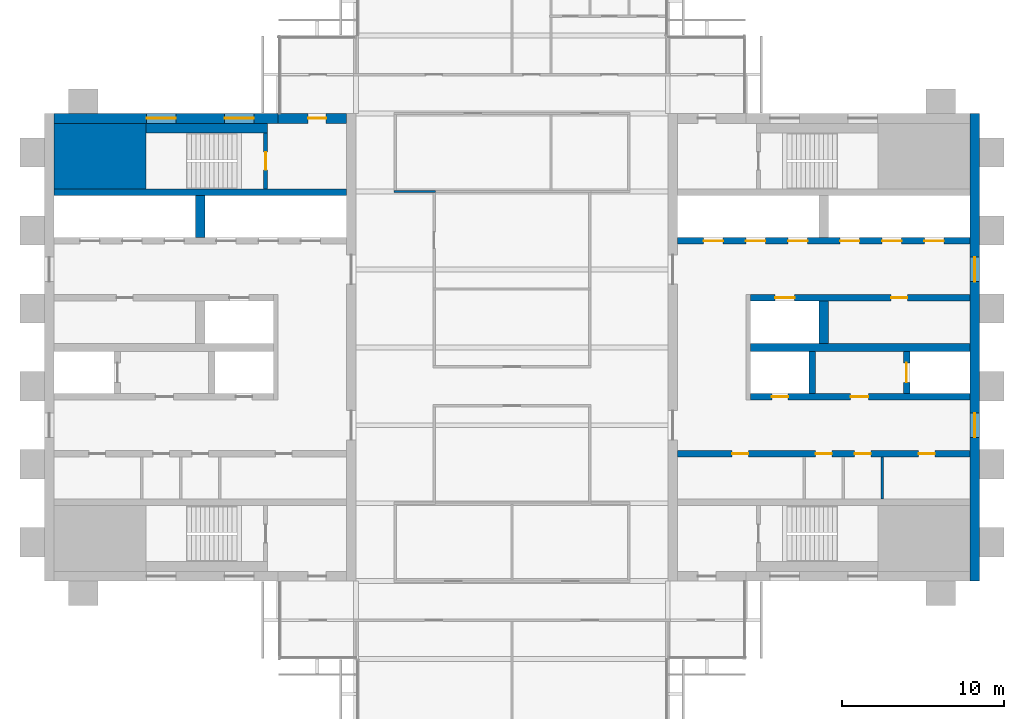
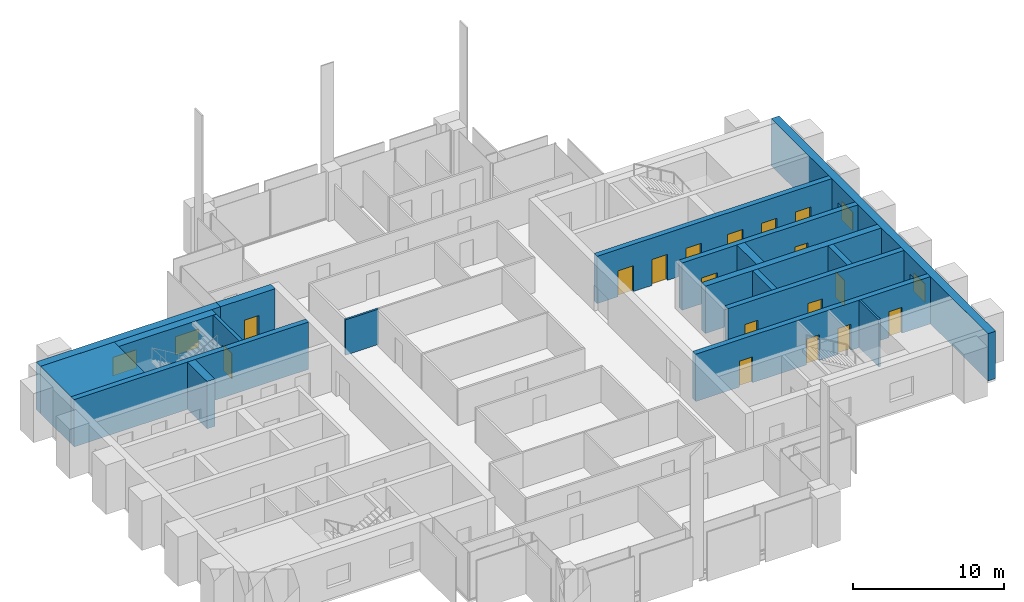
# One storey, part 10 of 13: 18 walls, 17 doors, 4 windows, 21 openings.
"""IFC4 building model written with IfcOpenShell, lengths in metres."""

from ifc_helpers import new_model, si_unit, direction, frame, frame_2d, origin, place, context, subcontext, project, spatial, rectangle, extrude, material, layer, layer_set, type_object, element, fill, save


model = new_model("IFC4")

# Units and contexts
model_context = context("Model", 3, precision=1e-05, world=origin(), true_north=direction((0.0, 1.0)))
body_context = subcontext(model_context, "Body", "Model", "MODEL_VIEW")
ifc_project = project(units=[si_unit("LENGTHUNIT", "METRE"), si_unit("AREAUNIT", "SQUARE_METRE"), si_unit("VOLUMEUNIT", "CUBIC_METRE"), si_unit("PLANEANGLEUNIT", "RADIAN"), si_unit("MASSUNIT", "GRAM", prefix="KILO")], contexts=[model_context])

# Site, building, storey
site_placement = place(None, origin())
site = spatial("IfcSite", under=ifc_project, at=site_placement, CompositionType="ELEMENT")
building_placement = place(site_placement, origin())
building = spatial("IfcBuilding", under=site, at=building_placement, Name="Baori Bourse Tower", CompositionType="ELEMENT")
storey_placement = place(building_placement, frame((0.0, 0.0, 318.300048828125)))
storey = spatial("IfcBuildingStorey", under=building, at=storey_placement, Name="L70", CompositionType="ELEMENT", Elevation=318.300048828125)

# Walls
ifc_material_1 = material(Name="Concrete f'c 40 MPa", Category="concrete")
wall_type_1 = type_object("IfcWallType", Name="Core corner block f'c 40", PredefinedType="SHEAR", material=ifc_material_1)
wall_1_placement = place(storey_placement, frame((0.60009765625, 35.77490234375, 0.0), z_axis=(0.0, 0.0, 1.0), x_axis=(1.0, 0.0, 0.0)))
element("IfcWall", 1, at=wall_1_placement, inside=storey, type_object=wall_type_1, Name="Core wall W23", PredefinedType="SHEAR", context=body_context, shape_type="SweptSolid", body=[
    extrude(rectangle(XDim=5.64990234375, YDim=4.050048828125, at=frame_2d((2.824951171875, 0.0))), origin(), (0.0, 0.0, 1.0), 3.83984375),
])
ifc_material_2 = material(Name="Blockwork partition", Category="masonry")
ifc_layer_1 = layer(ifc_material_2, 0.14990234375)
ifc_layer_set_1 = layer_set([ifc_layer_1], Name="Core partition 150")
wall_type_2 = type_object("IfcWallType", Name="Core partition 150", PredefinedType="PARTITIONING", material=ifc_layer_set_1)
wall_2_placement = place(storey_placement, frame((51.60009765625, 14.64990234375, 0.0), z_axis=(0.0, 0.0, 1.0), x_axis=(0.0, 1.0, 0.0)))
element("IfcWall", 2, at=wall_2_placement, inside=storey, type_object=wall_type_2, Name="Partition wall E09", PredefinedType="PARTITIONING", context=body_context, shape_type="SweptSolid", body=[
    extrude(rectangle(XDim=2.60009765625, YDim=0.14990234375, at=frame_2d((1.300048828125, 0.0))), origin(), (0.0, 0.0, 1.0), 3.83984375),
])

# Wall, openings, windows
ifc_material_3 = material(Name="Concrete f'c 40 MPa", Category="concrete")
ifc_layer_2 = layer(ifc_material_3, 0.60009765625)
ifc_layer_set_2 = layer_set([ifc_layer_2], Name="Core wall 600 f'c 40")
wall_type_3 = type_object("IfcWallType", Name="Core wall 600 f'c 40", PredefinedType="SHEAR", material=ifc_layer_set_2)
wall_3_placement = place(storey_placement, frame((0.60009765625, 38.10009765625, 0.0), z_axis=(0.0, 0.0, 1.0), x_axis=(1.0, 0.0, 0.0)))
wall_3 = element("IfcWall", 3, at=wall_3_placement, inside=storey, type_object=wall_type_3, Name="Core wall W26", PredefinedType="SHEAR", context=body_context, shape_type="SweptSolid", body=[
    extrude(rectangle(XDim=13.7998046875, YDim=0.60009765625, at=frame_2d((6.89990234375, 0.0))), origin(), (0.0, 0.0, 1.0), 3.83984375),
])
opening_1_placement = place(wall_3_placement, frame((5.699951171875, 0.0, 0.89990234375)))
opening_1 = element("IfcOpeningElement", 4, at=opening_1_placement, cuts=wall_3, Name="Opening L70-KW105", PredefinedType="OPENING", context=body_context, shape_type="SweptSolid", body=[
    extrude(rectangle(XDim=1.800048828125, YDim=1.5, at=frame_2d((0.89990234375, 0.75))), frame((0.0, 0.31005859375, 0.0), z_axis=(0.0, -1.0, 0.0), x_axis=(1.0, 0.0, 0.0)), (0.0, 0.0, 1.0), 0.6201171875),
])
opening_2_placement = place(wall_3_placement, frame((10.5, 0.0, 0.89990234375)))
opening_2 = element("IfcOpeningElement", 5, at=opening_2_placement, cuts=wall_3, Name="Opening L70-KW106", PredefinedType="OPENING", context=body_context, shape_type="SweptSolid", body=[
    extrude(rectangle(XDim=1.800048828125, YDim=1.5, at=frame_2d((0.89990234375, 0.75))), frame((0.0, 0.31005859375, 0.0), z_axis=(0.0, -1.0, 0.0), x_axis=(1.0, 0.0, 0.0)), (0.0, 0.0, 1.0), 0.6201171875),
])
ifc_material_4 = material(Name="Pale anodised aluminium", Category="aluminium")
window_type_1 = type_object("IfcWindowType", Name="Stair window 1800 x 1500", PartitioningType="SINGLE_PANEL", PredefinedType="WINDOW", material=ifc_material_4)
window_1_placement = place(opening_1_placement, origin())
window_1 = element("IfcWindow", 6, at=window_1_placement, inside=storey, type_object=window_type_1, Name="Stair window W L70 5", OverallHeight=1.5, OverallWidth=1.800048828125, PartitioningType="SINGLE_PANEL", PredefinedType="WINDOW", context=body_context, shape_type="SweptSolid", body=[
    extrude(rectangle(XDim=1.800048828125, YDim=1.5, at=frame_2d((0.89990234375, 0.75))), frame((0.0, 0.030029296875, 0.0), z_axis=(0.0, -1.0, 0.0), x_axis=(1.0, 0.0, 0.0)), (0.0, 0.0, 1.0), 0.06005859375),
])
fill(opening_1, window_1)
window_2_placement = place(opening_2_placement, origin())
window_2 = element("IfcWindow", 7, at=window_2_placement, inside=storey, type_object=window_type_1, Name="Stair window W L70 6", OverallHeight=1.5, OverallWidth=1.800048828125, PartitioningType="SINGLE_PANEL", PredefinedType="WINDOW", context=body_context, shape_type="SweptSolid", body=[
    extrude(rectangle(XDim=1.800048828125, YDim=1.5, at=frame_2d((0.89990234375, 0.75))), frame((0.0, 0.030029296875, 0.0), z_axis=(0.0, -1.0, 0.0), x_axis=(1.0, 0.0, 0.0)), (0.0, 0.0, 1.0), 0.06005859375),
])
fill(opening_2, window_2)

# Wall, opening, door
wall_4_placement = place(storey_placement, frame((14.39990234375, 38.10009765625, 0.0), z_axis=(0.0, 0.0, 1.0), x_axis=(1.0, 0.0, 0.0)))
wall_4 = element("IfcWall", 8, at=wall_4_placement, inside=storey, type_object=wall_type_3, Name="Core wall W27", PredefinedType="SHEAR", context=body_context, shape_type="SweptSolid", body=[
    extrude(rectangle(XDim=4.2001953125, YDim=0.60009765625, at=frame_2d((2.10009765625, 0.0))), origin(), (0.0, 0.0, 1.0), 3.83984375),
])
opening_3_placement = place(wall_4_placement, frame((1.85009765625, 0.0, 0.0)))
opening_3 = element("IfcOpeningElement", 9, at=opening_3_placement, cuts=wall_4, Name="Opening L70-D104", PredefinedType="OPENING", context=body_context, shape_type="SweptSolid", body=[
    extrude(rectangle(XDim=1.10009765625, YDim=2.10009765625, at=frame_2d((0.550048828125, 1.050048828125))), frame((0.0, 0.31005859375, 0.0), z_axis=(0.0, -1.0, 0.0), x_axis=(1.0, 0.0, 0.0)), (0.0, 0.0, 1.0), 0.6201171875),
])
ifc_material_5 = material(Name="Painted steel door", Category="steel")
door_type_1 = type_object("IfcDoorType", Name="Stair door 1100", OperationType="SINGLE_SWING_LEFT", PredefinedType="DOOR", material=ifc_material_5)
door_1_placement = place(opening_3_placement, origin())
door_1 = element("IfcDoor", 10, at=door_1_placement, inside=storey, type_object=door_type_1, Name="Stair vestibule door B W L70", OperationType="SINGLE_SWING_LEFT", OverallHeight=2.10009765625, OverallWidth=1.10009765625, PredefinedType="DOOR", context=body_context, shape_type="SweptSolid", body=[
    extrude(rectangle(XDim=1.10009765625, YDim=2.10009765625, at=frame_2d((0.550048828125, 1.050048828125))), frame((0.0, 0.02490234375, 0.0), z_axis=(0.0, -1.0, 0.0), x_axis=(1.0, 0.0, 0.0)), (0.0, 0.0, 1.0), 0.050048828125),
])
fill(opening_3, door_1)

# Wall, openings, windows
wall_5_placement = place(storey_placement, frame((57.300048828125, 38.39990234375, 0.0), z_axis=(0.0, 0.0, 1.0), x_axis=(0.0, -1.0, 0.0)))
wall_5 = element("IfcWall", 11, at=wall_5_placement, inside=storey, type_object=wall_type_3, Name="Core wall E01", PredefinedType="SHEAR", context=body_context, shape_type="SweptSolid", body=[
    extrude(rectangle(XDim=28.7998046875, YDim=0.60009765625, at=frame_2d((14.39990234375, 0.0))), origin(), (0.0, 0.0, 1.0), 3.83984375),
])
opening_4_placement = place(wall_5_placement, frame((18.449951171875, 0.0, 0.89990234375)))
opening_4 = element("IfcOpeningElement", 12, at=opening_4_placement, cuts=wall_5, Name="Opening L70-KW201", PredefinedType="OPENING", context=body_context, shape_type="SweptSolid", body=[
    extrude(rectangle(XDim=1.5, YDim=1.5, at=frame_2d((0.75, 0.75))), frame((0.0, 0.31005859375, 0.0), z_axis=(0.0, -1.0, 0.0), x_axis=(1.0, 0.0, 0.0)), (0.0, 0.0, 1.0), 0.6201171875),
])
opening_5_placement = place(wall_5_placement, frame((8.85009765625, 0.0, 0.89990234375)))
opening_5 = element("IfcOpeningElement", 13, at=opening_5_placement, cuts=wall_5, Name="Opening L70-KW202", PredefinedType="OPENING", context=body_context, shape_type="SweptSolid", body=[
    extrude(rectangle(XDim=1.5, YDim=1.5, at=frame_2d((0.75, 0.75))), frame((0.0, 0.31005859375, 0.0), z_axis=(0.0, -1.0, 0.0), x_axis=(1.0, 0.0, 0.0)), (0.0, 0.0, 1.0), 0.6201171875),
])
ifc_material_6 = material(Name="Pale anodised aluminium", Category="aluminium")
window_type_2 = type_object("IfcWindowType", Name="Lobby window 1500 x 1500", PartitioningType="SINGLE_PANEL", PredefinedType="WINDOW", material=ifc_material_6)
window_3_placement = place(opening_4_placement, origin())
window_3 = element("IfcWindow", 14, at=window_3_placement, inside=storey, type_object=window_type_2, Name="Outer wall window E L70 1", OverallHeight=1.5, OverallWidth=1.5, PartitioningType="SINGLE_PANEL", PredefinedType="WINDOW", context=body_context, shape_type="SweptSolid", body=[
    extrude(rectangle(XDim=1.5, YDim=1.5, at=frame_2d((0.75, 0.75))), frame((0.0, 0.030029296875, 0.0), z_axis=(0.0, -1.0, 0.0), x_axis=(1.0, 0.0, 0.0)), (0.0, 0.0, 1.0), 0.06005859375),
])
fill(opening_4, window_3)
window_4_placement = place(opening_5_placement, origin())
window_4 = element("IfcWindow", 15, at=window_4_placement, inside=storey, type_object=window_type_2, Name="Outer wall window E L70 2", OverallHeight=1.5, OverallWidth=1.5, PartitioningType="SINGLE_PANEL", PredefinedType="WINDOW", context=body_context, shape_type="SweptSolid", body=[
    extrude(rectangle(XDim=1.5, YDim=1.5, at=frame_2d((0.75, 0.75))), frame((0.0, 0.030029296875, 0.0), z_axis=(0.0, -1.0, 0.0), x_axis=(1.0, 0.0, 0.0)), (0.0, 0.0, 1.0), 0.06005859375),
])
fill(opening_5, window_4)

# Wall
ifc_material_7 = material(Name="Gypsum board partition")
ifc_layer_3 = layer(ifc_material_7, 0.14990234375)
ifc_layer_set_3 = layer_set([ifc_layer_3], Name="Corridor partition 150")
wall_type_4 = type_object("IfcWallType", Name="Corridor partition 150", PredefinedType="PARTITIONING", material=ifc_layer_set_3)
wall_6_placement = place(storey_placement, frame((21.52490234375, 33.60009765625, 0.0), z_axis=(0.0, 0.0, 1.0), x_axis=(1.0, 0.0, 0.0)))
element("IfcWall", 16, at=wall_6_placement, inside=storey, type_object=wall_type_4, Name="Partition", PredefinedType="PARTITIONING", context=body_context, shape_type="SweptSolid", body=[
    extrude(rectangle(XDim=2.550048828125, YDim=0.14990234375, at=frame_2d((1.27490234375, 0.0))), origin(), (0.0, 0.0, 1.0), 2.86962890625),
])

# Wall, opening, door
ifc_material_8 = material(Name="Concrete f'c 40 MPa", Category="concrete")
ifc_layer_4 = layer(ifc_material_8, 0.25)
ifc_layer_set_4 = layer_set([ifc_layer_4], Name="Shaft wall 250 f'c 40")
wall_type_5 = type_object("IfcWallType", Name="Shaft wall 250 f'c 40", PredefinedType="SHEAR", material=ifc_layer_set_4)
wall_7_placement = place(storey_placement, frame((13.625, 33.75, 0.0), z_axis=(0.0, 0.0, 1.0), x_axis=(0.0, 1.0, 0.0)))
wall_7 = element("IfcWall", 17, at=wall_7_placement, inside=storey, type_object=wall_type_5, Name="Core wall W24", PredefinedType="SHEAR", context=body_context, shape_type="SweptSolid", body=[
    extrude(rectangle(XDim=3.449951171875, YDim=0.25, at=frame_2d((1.72509765625, 0.0))), origin(), (0.0, 0.0, 1.0), 3.83984375),
])
opening_6_placement = place(wall_7_placement, frame((1.175048828125, 0.0, 0.0)))
opening_6 = element("IfcOpeningElement", 18, at=opening_6_placement, cuts=wall_7, Name="Opening L70-D103", PredefinedType="OPENING", context=body_context, shape_type="SweptSolid", body=[
    extrude(rectangle(XDim=1.10009765625, YDim=2.10009765625, at=frame_2d((0.550048828125, 1.050048828125))), frame((0.0, 0.135009765625, 0.0), z_axis=(0.0, -1.0, 0.0), x_axis=(1.0, 0.0, 0.0)), (0.0, 0.0, 1.0), 0.27001953125),
])
door_2_placement = place(opening_6_placement, origin())
door_2 = element("IfcDoor", 19, at=door_2_placement, inside=storey, type_object=door_type_1, Name="Stair door B W L70", OperationType="SINGLE_SWING_LEFT", OverallHeight=2.10009765625, OverallWidth=1.10009765625, PredefinedType="DOOR", context=body_context, shape_type="SweptSolid", body=[
    extrude(rectangle(XDim=1.10009765625, YDim=2.10009765625, at=frame_2d((0.550048828125, 1.050048828125))), frame((0.0, 0.02490234375, 0.0), z_axis=(0.0, -1.0, 0.0), x_axis=(1.0, 0.0, 0.0)), (0.0, 0.0, 1.0), 0.050048828125),
])
fill(opening_6, door_2)

# Wall
ifc_material_9 = material(Name="Concrete f'c 40 MPa", Category="concrete")
ifc_layer_5 = layer(ifc_material_9, 0.39990234375)
ifc_layer_set_5 = layer_set([ifc_layer_5], Name="Shaft wall 400 f'c 40")
wall_type_6 = type_object("IfcWallType", Name="Shaft wall 400 f'c 40", PredefinedType="SHEAR", material=ifc_layer_set_5)
wall_8_placement = place(storey_placement, frame((0.60009765625, 33.550048828125, 0.0), z_axis=(0.0, 0.0, 1.0), x_axis=(1.0, 0.0, 0.0)))
element("IfcWall", 20, at=wall_8_placement, inside=storey, type_object=wall_type_6, Name="Core wall W22", PredefinedType="SHEAR", context=body_context, shape_type="SweptSolid", body=[
    extrude(rectangle(XDim=18.0, YDim=0.39990234375, at=frame_2d((9.0, 0.0))), origin(), (0.0, 0.0, 1.0), 3.83984375),
])

# Wall, openings, doors
wall_9_placement = place(storey_placement, frame((39.0, 17.449951171875, 0.0), z_axis=(0.0, 0.0, 1.0), x_axis=(1.0, 0.0, 0.0)))
wall_9 = element("IfcWall", 21, at=wall_9_placement, inside=storey, type_object=wall_type_6, Name="Core wall E12", PredefinedType="SHEAR", context=body_context, shape_type="SweptSolid", body=[
    extrude(rectangle(XDim=18.0, YDim=0.39990234375, at=frame_2d((9.0, 0.0))), origin(), (0.0, 0.0, 1.0), 3.83984375),
])
opening_7_placement = place(wall_9_placement, frame((14.83740234375, 0.0, 0.0)))
opening_7 = element("IfcOpeningElement", 22, at=opening_7_placement, cuts=wall_9, Name="Opening L70-D209", PredefinedType="OPENING", context=body_context, shape_type="SweptSolid", body=[
    extrude(rectangle(XDim=1.0, YDim=2.10009765625, at=frame_2d((0.5, 1.050048828125))), frame((0.0, 0.2099609375, 0.0), z_axis=(0.0, -1.0, 0.0), x_axis=(1.0, 0.0, 0.0)), (0.0, 0.0, 1.0), 0.419921875),
])
opening_8_placement = place(wall_9_placement, frame((10.89990234375, 0.0, 0.0)))
opening_8 = element("IfcOpeningElement", 23, at=opening_8_placement, cuts=wall_9, Name="Opening L70-D210", PredefinedType="OPENING", context=body_context, shape_type="SweptSolid", body=[
    extrude(rectangle(XDim=1.0, YDim=2.10009765625, at=frame_2d((0.5, 1.050048828125))), frame((0.0, 0.2099609375, 0.0), z_axis=(0.0, -1.0, 0.0), x_axis=(1.0, 0.0, 0.0)), (0.0, 0.0, 1.0), 0.419921875),
])
opening_9_placement = place(wall_9_placement, frame((8.5, 0.0, 0.0)))
opening_9 = element("IfcOpeningElement", 24, at=opening_9_placement, cuts=wall_9, Name="Opening L70-D211", PredefinedType="OPENING", context=body_context, shape_type="SweptSolid", body=[
    extrude(rectangle(XDim=1.0, YDim=2.10009765625, at=frame_2d((0.5, 1.050048828125))), frame((0.0, 0.2099609375, 0.0), z_axis=(0.0, -1.0, 0.0), x_axis=(1.0, 0.0, 0.0)), (0.0, 0.0, 1.0), 0.419921875),
])
opening_10_placement = place(wall_9_placement, frame((3.362548828125, 0.0, 0.0)))
opening_10 = element("IfcOpeningElement", 25, at=opening_10_placement, cuts=wall_9, Name="Opening L70-D212", PredefinedType="OPENING", context=body_context, shape_type="SweptSolid", body=[
    extrude(rectangle(XDim=1.0, YDim=2.10009765625, at=frame_2d((0.5, 1.050048828125))), frame((0.0, 0.2099609375, 0.0), z_axis=(0.0, -1.0, 0.0), x_axis=(1.0, 0.0, 0.0)), (0.0, 0.0, 1.0), 0.419921875),
])
ifc_material_10 = material(Name="Painted steel door", Category="steel")
door_type_2 = type_object("IfcDoorType", Name="Core door 1000", OperationType="SINGLE_SWING_LEFT", PredefinedType="DOOR", material=ifc_material_10)
door_3_placement = place(opening_7_placement, origin())
door_3 = element("IfcDoor", 26, at=door_3_placement, inside=storey, type_object=door_type_2, Name="Women'S Wc door E L70", OperationType="SINGLE_SWING_LEFT", OverallHeight=2.10009765625, OverallWidth=1.0, PredefinedType="DOOR", context=body_context, shape_type="SweptSolid", body=[
    extrude(rectangle(XDim=1.0, YDim=2.10009765625, at=frame_2d((0.5, 1.050048828125))), frame((0.0, 0.02490234375, 0.0), z_axis=(0.0, -1.0, 0.0), x_axis=(1.0, 0.0, 0.0)), (0.0, 0.0, 1.0), 0.050048828125),
])
fill(opening_7, door_3)
door_4_placement = place(opening_8_placement, origin())
door_4 = element("IfcDoor", 27, at=door_4_placement, inside=storey, type_object=door_type_2, Name="Accessible Wc door E L70", OperationType="SINGLE_SWING_LEFT", OverallHeight=2.10009765625, OverallWidth=1.0, PredefinedType="DOOR", context=body_context, shape_type="SweptSolid", body=[
    extrude(rectangle(XDim=1.0, YDim=2.10009765625, at=frame_2d((0.5, 1.050048828125))), frame((0.0, 0.02490234375, 0.0), z_axis=(0.0, -1.0, 0.0), x_axis=(1.0, 0.0, 0.0)), (0.0, 0.0, 1.0), 0.050048828125),
])
fill(opening_8, door_4)
door_5_placement = place(opening_10_placement, origin())
door_5 = element("IfcDoor", 28, at=door_5_placement, inside=storey, type_object=door_type_2, Name="Men'S Wc door E L70", OperationType="SINGLE_SWING_LEFT", OverallHeight=2.10009765625, OverallWidth=1.0, PredefinedType="DOOR", context=body_context, shape_type="SweptSolid", body=[
    extrude(rectangle(XDim=1.0, YDim=2.10009765625, at=frame_2d((0.5, 1.050048828125))), frame((0.0, 0.02490234375, 0.0), z_axis=(0.0, -1.0, 0.0), x_axis=(1.0, 0.0, 0.0)), (0.0, 0.0, 1.0), 0.050048828125),
])
fill(opening_10, door_5)
ifc_material_11 = material(Name="Painted steel door", Category="steel")
door_type_3 = type_object("IfcDoorType", Name="Plant room door 1000", OperationType="SINGLE_SWING_LEFT", PredefinedType="DOOR", material=ifc_material_11)
door_6_placement = place(opening_9_placement, origin())
door_6 = element("IfcDoor", 29, at=door_6_placement, inside=storey, type_object=door_type_3, Name="Plumbing Equipment Room door E L70", OperationType="SINGLE_SWING_LEFT", OverallHeight=2.10009765625, OverallWidth=1.0, PredefinedType="DOOR", context=body_context, shape_type="SweptSolid", body=[
    extrude(rectangle(XDim=1.0, YDim=2.10009765625, at=frame_2d((0.5, 1.050048828125))), frame((0.0, 0.02490234375, 0.0), z_axis=(0.0, -1.0, 0.0), x_axis=(1.0, 0.0, 0.0)), (0.0, 0.0, 1.0), 0.050048828125),
])
fill(opening_9, door_6)

wall_10_placement = place(storey_placement, frame((43.5, 20.949951171875, 0.0), z_axis=(0.0, 0.0, 1.0), x_axis=(1.0, 0.0, 0.0)))
wall_10 = element("IfcWall", 30, at=wall_10_placement, inside=storey, type_object=wall_type_6, Name="Core wall E13", PredefinedType="SHEAR", context=body_context, shape_type="SweptSolid", body=[
    extrude(rectangle(XDim=13.5, YDim=0.39990234375, at=frame_2d((6.75, 0.0))), origin(), (0.0, 0.0, 1.0), 3.83984375),
])
opening_11_placement = place(wall_10_placement, frame((6.14990234375, 0.0, 0.0)))
opening_11 = element("IfcOpeningElement", 31, at=opening_11_placement, cuts=wall_10, Name="Opening L70-D205", PredefinedType="OPENING", context=body_context, shape_type="SweptSolid", body=[
    extrude(rectangle(XDim=1.10009765625, YDim=2.10009765625, at=frame_2d((0.550048828125, 1.050048828125))), frame((0.0, 0.2099609375, 0.0), z_axis=(0.0, -1.0, 0.0), x_axis=(1.0, 0.0, 0.0)), (0.0, 0.0, 1.0), 0.419921875),
])
opening_12_placement = place(wall_10_placement, frame((1.300048828125, 0.0, 0.0)))
opening_12 = element("IfcOpeningElement", 32, at=opening_12_placement, cuts=wall_10, Name="Opening L70-D206", PredefinedType="OPENING", context=body_context, shape_type="SweptSolid", body=[
    extrude(rectangle(XDim=1.0, YDim=2.10009765625, at=frame_2d((0.5, 1.050048828125))), frame((0.0, 0.2099609375, 0.0), z_axis=(0.0, -1.0, 0.0), x_axis=(1.0, 0.0, 0.0)), (0.0, 0.0, 1.0), 0.419921875),
])
ifc_material_12 = material(Name="Painted steel door", Category="steel")
door_type_4 = type_object("IfcDoorType", Name="Lobby door 1100", OperationType="SINGLE_SWING_LEFT", PredefinedType="DOOR", material=ifc_material_12)
door_7_placement = place(opening_11_placement, origin())
door_7 = element("IfcDoor", 33, at=door_7_placement, inside=storey, type_object=door_type_4, Name="Firefighting lobby door E L70", OperationType="SINGLE_SWING_LEFT", OverallHeight=2.10009765625, OverallWidth=1.10009765625, PredefinedType="DOOR", context=body_context, shape_type="SweptSolid", body=[
    extrude(rectangle(XDim=1.10009765625, YDim=2.10009765625, at=frame_2d((0.550048828125, 1.050048828125))), frame((0.0, 0.02490234375, 0.0), z_axis=(0.0, -1.0, 0.0), x_axis=(1.0, 0.0, 0.0)), (0.0, 0.0, 1.0), 0.050048828125),
])
fill(opening_11, door_7)
ifc_material_13 = material(Name="Painted steel door", Category="steel")
door_type_5 = type_object("IfcDoorType", Name="Shaft door 1000", OperationType="SINGLE_SWING_LEFT", PredefinedType="DOOR", material=ifc_material_13)
door_8_placement = place(opening_12_placement, origin())
door_8 = element("IfcDoor", 34, at=door_8_placement, inside=storey, type_object=door_type_5, Name="Riser room door E L70", OperationType="SINGLE_SWING_LEFT", OverallHeight=2.10009765625, OverallWidth=1.0, PredefinedType="DOOR", context=body_context, shape_type="SweptSolid", body=[
    extrude(rectangle(XDim=1.0, YDim=2.10009765625, at=frame_2d((0.5, 1.050048828125))), frame((0.0, 0.02490234375, 0.0), z_axis=(0.0, -1.0, 0.0), x_axis=(1.0, 0.0, 0.0)), (0.0, 0.0, 1.0), 0.050048828125),
])
fill(opening_12, door_8)

# Wall, opening, door
wall_11_placement = place(storey_placement, frame((53.10009765625, 21.14990234375, 0.0), z_axis=(0.0, 0.0, 1.0), x_axis=(0.0, 1.0, 0.0)))
wall_11 = element("IfcWall", 35, at=wall_11_placement, inside=storey, type_object=wall_type_6, Name="Core wall E15", PredefinedType="SHEAR", context=body_context, shape_type="SweptSolid", body=[
    extrude(rectangle(XDim=2.60009765625, YDim=0.39990234375, at=frame_2d((1.300048828125, 0.0))), origin(), (0.0, 0.0, 1.0), 3.83984375),
])
opening_13_placement = place(wall_11_placement, frame((0.699951171875, 0.0, 0.0)))
opening_13 = element("IfcOpeningElement", 36, at=opening_13_placement, cuts=wall_11, Name="Opening L70-D221", PredefinedType="OPENING", context=body_context, shape_type="SweptSolid", body=[
    extrude(rectangle(XDim=1.199951171875, YDim=2.10009765625, at=frame_2d((0.60009765625, 1.050048828125))), frame((0.0, 0.2099609375, 0.0), z_axis=(0.0, -1.0, 0.0), x_axis=(1.0, 0.0, 0.0)), (0.0, 0.0, 1.0), 0.419921875),
])
ifc_material_14 = material(Name="Stainless steel door", Category="steel")
door_type_6 = type_object("IfcDoorType", Name="Lift landing door", OperationType="DOUBLE_DOOR_SLIDING", PredefinedType="DOOR", material=ifc_material_14)
door_9_placement = place(opening_13_placement, origin())
door_9 = element("IfcDoor", 37, at=door_9_placement, inside=storey, type_object=door_type_6, Name="Lift landing door FF2 E L70", OperationType="DOUBLE_DOOR_SLIDING", OverallHeight=2.10009765625, OverallWidth=1.199951171875, PredefinedType="DOOR", context=body_context, shape_type="SweptSolid", body=[
    extrude(rectangle(XDim=1.199951171875, YDim=2.10009765625, at=frame_2d((0.60009765625, 1.050048828125))), frame((0.0, 0.02490234375, 0.0), z_axis=(0.0, -1.0, 0.0), x_axis=(1.0, 0.0, 0.0)), (0.0, 0.0, 1.0), 0.050048828125),
])
fill(opening_13, door_9)

# Wall
wall_12_placement = place(storey_placement, frame((47.300048828125, 21.14990234375, 0.0), z_axis=(0.0, 0.0, 1.0), x_axis=(0.0, 1.0, 0.0)))
element("IfcWall", 38, at=wall_12_placement, inside=storey, type_object=wall_type_6, Name="Core wall E16", PredefinedType="SHEAR", context=body_context, shape_type="SweptSolid", body=[
    extrude(rectangle(XDim=2.60009765625, YDim=0.39990234375, at=frame_2d((1.300048828125, 0.0))), origin(), (0.0, 0.0, 1.0), 3.83984375),
])

# Wall, openings, doors
wall_13_placement = place(storey_placement, frame((43.5, 27.050048828125, 0.0), z_axis=(0.0, 0.0, 1.0), x_axis=(1.0, 0.0, 0.0)))
wall_13 = element("IfcWall", 39, at=wall_13_placement, inside=storey, type_object=wall_type_6, Name="Core wall E19", PredefinedType="SHEAR", context=body_context, shape_type="SweptSolid", body=[
    extrude(rectangle(XDim=13.5, YDim=0.39990234375, at=frame_2d((6.75, 0.0))), origin(), (0.0, 0.0, 1.0), 3.83984375),
])
opening_14_placement = place(wall_13_placement, frame((8.64990234375, 0.0, 0.0)))
opening_14 = element("IfcOpeningElement", 40, at=opening_14_placement, cuts=wall_13, Name="Opening L70-D213", PredefinedType="OPENING", context=body_context, shape_type="SweptSolid", body=[
    extrude(rectangle(XDim=1.0, YDim=2.10009765625, at=frame_2d((0.5, 1.050048828125))), frame((0.0, 0.2099609375, 0.0), z_axis=(0.0, -1.0, 0.0), x_axis=(1.0, 0.0, 0.0)), (0.0, 0.0, 1.0), 0.419921875),
])
opening_15_placement = place(wall_13_placement, frame((1.5, 0.0, 0.0)))
opening_15 = element("IfcOpeningElement", 41, at=opening_15_placement, cuts=wall_13, Name="Opening L70-D220", PredefinedType="OPENING", context=body_context, shape_type="SweptSolid", body=[
    extrude(rectangle(XDim=1.199951171875, YDim=2.10009765625, at=frame_2d((0.60009765625, 1.050048828125))), frame((0.0, 0.2099609375, 0.0), z_axis=(0.0, -1.0, 0.0), x_axis=(1.0, 0.0, 0.0)), (0.0, 0.0, 1.0), 0.419921875),
])
door_10_placement = place(opening_14_placement, origin())
door_10 = element("IfcDoor", 42, at=door_10_placement, inside=storey, type_object=door_type_2, Name="Store Room door E L70", OperationType="SINGLE_SWING_LEFT", OverallHeight=2.10009765625, OverallWidth=1.0, PredefinedType="DOOR", context=body_context, shape_type="SweptSolid", body=[
    extrude(rectangle(XDim=1.0, YDim=2.10009765625, at=frame_2d((0.5, 1.050048828125))), frame((0.0, 0.02490234375, 0.0), z_axis=(0.0, -1.0, 0.0), x_axis=(1.0, 0.0, 0.0)), (0.0, 0.0, 1.0), 0.050048828125),
])
fill(opening_14, door_10)
door_11_placement = place(opening_15_placement, origin())
door_11 = element("IfcDoor", 43, at=door_11_placement, inside=storey, type_object=door_type_6, Name="Lift landing door SV1 E L70", OperationType="DOUBLE_DOOR_SLIDING", OverallHeight=2.10009765625, OverallWidth=1.199951171875, PredefinedType="DOOR", context=body_context, shape_type="SweptSolid", body=[
    extrude(rectangle(XDim=1.199951171875, YDim=2.10009765625, at=frame_2d((0.60009765625, 1.050048828125))), frame((0.0, 0.02490234375, 0.0), z_axis=(0.0, -1.0, 0.0), x_axis=(1.0, 0.0, 0.0)), (0.0, 0.0, 1.0), 0.050048828125),
])
fill(opening_15, door_11)

wall_14_placement = place(storey_placement, frame((39.0, 30.550048828125, 0.0), z_axis=(0.0, 0.0, 1.0), x_axis=(1.0, 0.0, 0.0)))
wall_14 = element("IfcWall", 44, at=wall_14_placement, inside=storey, type_object=wall_type_6, Name="Core wall E20", PredefinedType="SHEAR", context=body_context, shape_type="SweptSolid", body=[
    extrude(rectangle(XDim=18.0, YDim=0.39990234375, at=frame_2d((9.0, 0.0))), origin(), (0.0, 0.0, 1.0), 3.83984375),
])
opening_16_placement = place(wall_14_placement, frame((15.199951171875, 0.0, 0.0)))
opening_16 = element("IfcOpeningElement", 45, at=opening_16_placement, cuts=wall_14, Name="Opening L70-D214", PredefinedType="OPENING", context=body_context, shape_type="SweptSolid", body=[
    extrude(rectangle(XDim=1.199951171875, YDim=2.10009765625, at=frame_2d((0.60009765625, 1.050048828125))), frame((0.0, 0.2099609375, 0.0), z_axis=(0.0, -1.0, 0.0), x_axis=(1.0, 0.0, 0.0)), (0.0, 0.0, 1.0), 0.419921875),
])
opening_17_placement = place(wall_14_placement, frame((12.60009765625, 0.0, 0.0)))
opening_17 = element("IfcOpeningElement", 46, at=opening_17_placement, cuts=wall_14, Name="Opening L70-D215", PredefinedType="OPENING", context=body_context, shape_type="SweptSolid", body=[
    extrude(rectangle(XDim=1.199951171875, YDim=2.10009765625, at=frame_2d((0.60009765625, 1.050048828125))), frame((0.0, 0.2099609375, 0.0), z_axis=(0.0, -1.0, 0.0), x_axis=(1.0, 0.0, 0.0)), (0.0, 0.0, 1.0), 0.419921875),
])
opening_18_placement = place(wall_14_placement, frame((10.0, 0.0, 0.0)))
opening_18 = element("IfcOpeningElement", 47, at=opening_18_placement, cuts=wall_14, Name="Opening L70-D216", PredefinedType="OPENING", context=body_context, shape_type="SweptSolid", body=[
    extrude(rectangle(XDim=1.199951171875, YDim=2.10009765625, at=frame_2d((0.60009765625, 1.050048828125))), frame((0.0, 0.2099609375, 0.0), z_axis=(0.0, -1.0, 0.0), x_axis=(1.0, 0.0, 0.0)), (0.0, 0.0, 1.0), 0.419921875),
])
opening_19_placement = place(wall_14_placement, frame((6.800048828125, 0.0, 0.0)))
opening_19 = element("IfcOpeningElement", 48, at=opening_19_placement, cuts=wall_14, Name="Opening L70-D217", PredefinedType="OPENING", context=body_context, shape_type="SweptSolid", body=[
    extrude(rectangle(XDim=1.199951171875, YDim=2.10009765625, at=frame_2d((0.60009765625, 1.050048828125))), frame((0.0, 0.2099609375, 0.0), z_axis=(0.0, -1.0, 0.0), x_axis=(1.0, 0.0, 0.0)), (0.0, 0.0, 1.0), 0.419921875),
])
opening_20_placement = place(wall_14_placement, frame((4.199951171875, 0.0, 0.0)))
opening_20 = element("IfcOpeningElement", 49, at=opening_20_placement, cuts=wall_14, Name="Opening L70-D218", PredefinedType="OPENING", context=body_context, shape_type="SweptSolid", body=[
    extrude(rectangle(XDim=1.199951171875, YDim=2.10009765625, at=frame_2d((0.60009765625, 1.050048828125))), frame((0.0, 0.2099609375, 0.0), z_axis=(0.0, -1.0, 0.0), x_axis=(1.0, 0.0, 0.0)), (0.0, 0.0, 1.0), 0.419921875),
])
opening_21_placement = place(wall_14_placement, frame((1.60009765625, 0.0, 0.0)))
opening_21 = element("IfcOpeningElement", 50, at=opening_21_placement, cuts=wall_14, Name="Opening L70-D219", PredefinedType="OPENING", context=body_context, shape_type="SweptSolid", body=[
    extrude(rectangle(XDim=1.199951171875, YDim=2.10009765625, at=frame_2d((0.60009765625, 1.050048828125))), frame((0.0, 0.2099609375, 0.0), z_axis=(0.0, -1.0, 0.0), x_axis=(1.0, 0.0, 0.0)), (0.0, 0.0, 1.0), 0.419921875),
])
door_12_placement = place(opening_16_placement, origin())
door_12 = element("IfcDoor", 51, at=door_12_placement, inside=storey, type_object=door_type_6, Name="Lift landing door HR1 E L70", OperationType="DOUBLE_DOOR_SLIDING", OverallHeight=2.10009765625, OverallWidth=1.199951171875, PredefinedType="DOOR", context=body_context, shape_type="SweptSolid", body=[
    extrude(rectangle(XDim=1.199951171875, YDim=2.10009765625, at=frame_2d((0.60009765625, 1.050048828125))), frame((0.0, 0.02490234375, 0.0), z_axis=(0.0, -1.0, 0.0), x_axis=(1.0, 0.0, 0.0)), (0.0, 0.0, 1.0), 0.050048828125),
])
fill(opening_16, door_12)
door_13_placement = place(opening_17_placement, origin())
door_13 = element("IfcDoor", 52, at=door_13_placement, inside=storey, type_object=door_type_6, Name="Lift landing door HR2 E L70", OperationType="DOUBLE_DOOR_SLIDING", OverallHeight=2.10009765625, OverallWidth=1.199951171875, PredefinedType="DOOR", context=body_context, shape_type="SweptSolid", body=[
    extrude(rectangle(XDim=1.199951171875, YDim=2.10009765625, at=frame_2d((0.60009765625, 1.050048828125))), frame((0.0, 0.02490234375, 0.0), z_axis=(0.0, -1.0, 0.0), x_axis=(1.0, 0.0, 0.0)), (0.0, 0.0, 1.0), 0.050048828125),
])
fill(opening_17, door_13)
door_14_placement = place(opening_18_placement, origin())
door_14 = element("IfcDoor", 53, at=door_14_placement, inside=storey, type_object=door_type_6, Name="Lift landing door HR3 E L70", OperationType="DOUBLE_DOOR_SLIDING", OverallHeight=2.10009765625, OverallWidth=1.199951171875, PredefinedType="DOOR", context=body_context, shape_type="SweptSolid", body=[
    extrude(rectangle(XDim=1.199951171875, YDim=2.10009765625, at=frame_2d((0.60009765625, 1.050048828125))), frame((0.0, 0.02490234375, 0.0), z_axis=(0.0, -1.0, 0.0), x_axis=(1.0, 0.0, 0.0)), (0.0, 0.0, 1.0), 0.050048828125),
])
fill(opening_18, door_14)
door_15_placement = place(opening_19_placement, origin())
door_15 = element("IfcDoor", 54, at=door_15_placement, inside=storey, type_object=door_type_6, Name="Lift landing door HR4 E L70", OperationType="DOUBLE_DOOR_SLIDING", OverallHeight=2.10009765625, OverallWidth=1.199951171875, PredefinedType="DOOR", context=body_context, shape_type="SweptSolid", body=[
    extrude(rectangle(XDim=1.199951171875, YDim=2.10009765625, at=frame_2d((0.60009765625, 1.050048828125))), frame((0.0, 0.02490234375, 0.0), z_axis=(0.0, -1.0, 0.0), x_axis=(1.0, 0.0, 0.0)), (0.0, 0.0, 1.0), 0.050048828125),
])
fill(opening_19, door_15)
door_16_placement = place(opening_20_placement, origin())
door_16 = element("IfcDoor", 55, at=door_16_placement, inside=storey, type_object=door_type_6, Name="Lift landing door HR5 E L70", OperationType="DOUBLE_DOOR_SLIDING", OverallHeight=2.10009765625, OverallWidth=1.199951171875, PredefinedType="DOOR", context=body_context, shape_type="SweptSolid", body=[
    extrude(rectangle(XDim=1.199951171875, YDim=2.10009765625, at=frame_2d((0.60009765625, 1.050048828125))), frame((0.0, 0.02490234375, 0.0), z_axis=(0.0, -1.0, 0.0), x_axis=(1.0, 0.0, 0.0)), (0.0, 0.0, 1.0), 0.050048828125),
])
fill(opening_20, door_16)
door_17_placement = place(opening_21_placement, origin())
door_17 = element("IfcDoor", 56, at=door_17_placement, inside=storey, type_object=door_type_6, Name="Lift landing door HR6 E L70", OperationType="DOUBLE_DOOR_SLIDING", OverallHeight=2.10009765625, OverallWidth=1.199951171875, PredefinedType="DOOR", context=body_context, shape_type="SweptSolid", body=[
    extrude(rectangle(XDim=1.199951171875, YDim=2.10009765625, at=frame_2d((0.60009765625, 1.050048828125))), frame((0.0, 0.02490234375, 0.0), z_axis=(0.0, -1.0, 0.0), x_axis=(1.0, 0.0, 0.0)), (0.0, 0.0, 1.0), 0.050048828125),
])
fill(opening_21, door_17)

# Walls
ifc_material_15 = material(Name="Concrete f'c 40 MPa", Category="concrete")
ifc_layer_6 = layer(ifc_material_15, 0.5)
ifc_layer_set_6 = layer_set([ifc_layer_6], Name="Shaft wall 500 f'c 40")
wall_type_7 = type_object("IfcWallType", Name="Shaft wall 500 f'c 40", PredefinedType="SHEAR", material=ifc_layer_set_6)
wall_15_placement = place(storey_placement, frame((43.5, 24.0, 0.0), z_axis=(0.0, 0.0, 1.0), x_axis=(1.0, 0.0, 0.0)))
element("IfcWall", 57, at=wall_15_placement, inside=storey, type_object=wall_type_7, Name="Core wall E17", PredefinedType="SHEAR", context=body_context, shape_type="SweptSolid", body=[
    extrude(rectangle(XDim=13.5, YDim=0.5, at=frame_2d((6.75, 0.0))), origin(), (0.0, 0.0, 1.0), 3.83984375),
])
ifc_material_16 = material(Name="Concrete f'c 40 MPa", Category="concrete")
ifc_layer_7 = layer(ifc_material_16, 0.60009765625)
ifc_layer_set_7 = layer_set([ifc_layer_7], Name="Shaft wall 600 f'c 40")
wall_type_8 = type_object("IfcWallType", Name="Shaft wall 600 f'c 40", PredefinedType="SHEAR", material=ifc_layer_set_7)
wall_16_placement = place(storey_placement, frame((9.60009765625, 30.75, 0.0), z_axis=(0.0, 0.0, 1.0), x_axis=(0.0, 1.0, 0.0)))
element("IfcWall", 58, at=wall_16_placement, inside=storey, type_object=wall_type_8, Name="Core wall W21", PredefinedType="SHEAR", context=body_context, shape_type="SweptSolid", body=[
    extrude(rectangle(XDim=2.60009765625, YDim=0.60009765625, at=frame_2d((1.300048828125, 0.0))), origin(), (0.0, 0.0, 1.0), 3.83984375),
])
wall_17_placement = place(storey_placement, frame((6.25, 37.5, 0.0), z_axis=(0.0, 0.0, 1.0), x_axis=(1.0, 0.0, 0.0)))
element("IfcWall", 59, at=wall_17_placement, inside=storey, type_object=wall_type_8, Name="Core wall W25", PredefinedType="SHEAR", context=body_context, shape_type="SweptSolid", body=[
    extrude(rectangle(XDim=7.5, YDim=0.60009765625, at=frame_2d((3.75, 0.0))), origin(), (0.0, 0.0, 1.0), 3.83984375),
])
wall_18_placement = place(storey_placement, frame((48.0, 24.25, 0.0), z_axis=(0.0, 0.0, 1.0), x_axis=(0.0, 1.0, 0.0)))
element("IfcWall", 60, at=wall_18_placement, inside=storey, type_object=wall_type_8, Name="Core wall E18", PredefinedType="SHEAR", context=body_context, shape_type="SweptSolid", body=[
    extrude(rectangle(XDim=2.60009765625, YDim=0.60009765625, at=frame_2d((1.300048828125, 0.0))), origin(), (0.0, 0.0, 1.0), 3.83984375),
])

save(model, "model.ifc")
